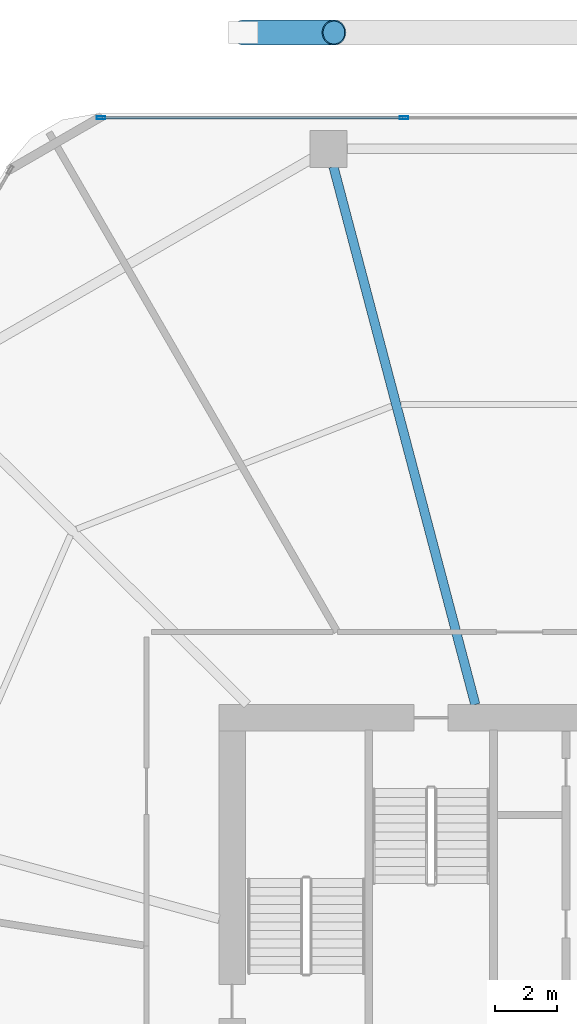
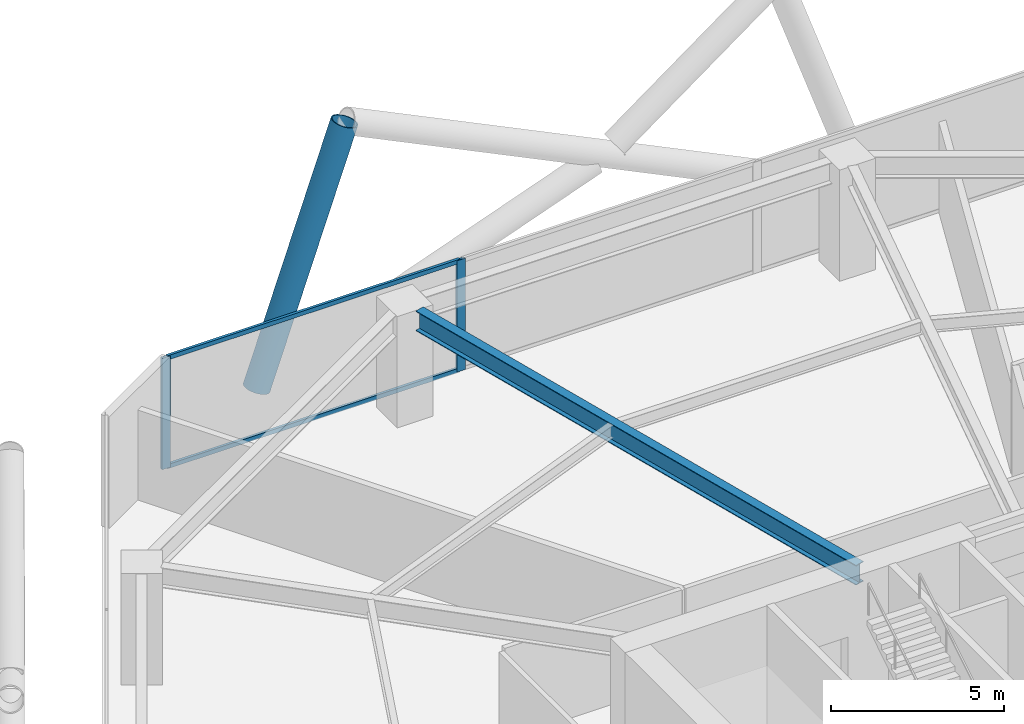
# One storey, part 17 of 28: 5 members, 1 beam, 1 element without a shape of its own.
"""IFC4 building model written with IfcOpenShell, lengths in metres."""

from ifc_helpers import new_model, si_unit, direction, frame, origin, origin_2d, place, context, subcontext, project, spatial, hollow_rectangle, hollow_circle, i_section, extrude, material, material_profile, profile_set, type_object, element, aggregate, save


model = new_model("IFC4")

# Units and contexts
model_context = context("Model", 3, precision=1e-05, world=origin(), true_north=direction((0.0, 1.0)))
body_context = subcontext(model_context, "Body", "Model", "MODEL_VIEW")
ifc_project = project(units=[si_unit("LENGTHUNIT", "METRE"), si_unit("AREAUNIT", "SQUARE_METRE"), si_unit("VOLUMEUNIT", "CUBIC_METRE"), si_unit("PLANEANGLEUNIT", "RADIAN"), si_unit("MASSUNIT", "GRAM", prefix="KILO")], contexts=[model_context])

# Site, building, storey
site_placement = place(None, origin())
site = spatial("IfcSite", under=ifc_project, at=site_placement, CompositionType="ELEMENT")
building_placement = place(site_placement, origin())
building = spatial("IfcBuilding", under=site, at=building_placement, Name="Zuhravey Tower", CompositionType="ELEMENT")
storey_placement = place(building_placement, frame((0.0, 0.0, 75.0)))
storey = spatial("IfcBuildingStorey", under=building, at=storey_placement, Name="L18", CompositionType="ELEMENT", Elevation=75.0)

# Curtain wall, members
ifc_material_1 = material(Name="Thermally broken anodised aluminium", Category="aluminium")
curtain_wall_type = type_object("IfcCurtainWallType", Name="School Low-E Unitised Curtain Wall CW1", PredefinedType="NOTDEFINED", material=ifc_material_1)
curtain_wall_placement = place(storey_placement, origin())
curtain_wall = element("IfcCurtainWall", 1, at=curtain_wall_placement, inside=storey, type_object=curtain_wall_type, Name="L18 CW1 CW-L18-F2-1", PredefinedType="NOTDEFINED")
ifc_material_2 = material(Name="Anodised aluminium", Category="aluminium")
ifc_material_profile_1 = material_profile(ifc_material_2, hollow_rectangle(XDim=0.090087890625, YDim=0.284912109375, WallThickness=0.0048828125, at=origin_2d()), Name="ALU-RHS-90x285x5")
ifc_profile_set_1 = profile_set([ifc_material_profile_1], Name="Anodised aluminium")
member_type_1 = type_object("IfcMemberType", Name="Curtain-Wall Mullion 90x180", PredefinedType="MULLION", material=ifc_profile_set_1)
member_1_placement = place(storey_placement, frame((21.24560546875, 60.95849609375, 0.0), z_axis=(0.0, 0.0, 1.0), x_axis=(0.0, 1.0, 0.0)))
member_1 = element("IfcMember", 2, at=member_1_placement, type_object=member_type_1, Name="CW1 mullion 1", PredefinedType="MULLION", context=body_context, shape_type="SweptSolid", body=[
    extrude(hollow_rectangle(XDim=0.090087890625, YDim=0.284912109375, WallThickness=0.0048828125, at=origin_2d()), origin(), (0.0, 0.0, 1.0), 3.919921875),
])
member_2_placement = place(storey_placement, frame((31.06689453125, 60.95849609375, 0.0), z_axis=(0.0, 0.0, 1.0), x_axis=(0.0, 1.0, 0.0)))
member_2 = element("IfcMember", 3, at=member_2_placement, type_object=member_type_1, Name="CW1 mullion 2", PredefinedType="MULLION", context=body_context, shape_type="SweptSolid", body=[
    extrude(hollow_rectangle(XDim=0.090087890625, YDim=0.284912109375, WallThickness=0.0048828125, at=origin_2d()), origin(), (0.0, 0.0, 1.0), 3.919921875),
])
ifc_material_profile_2 = material_profile(ifc_material_2, hollow_rectangle(XDim=0.090087890625, YDim=0.14990234375, WallThickness=0.0048828125, at=origin_2d()), Name="ALU-RHS-90x150x5")
ifc_profile_set_2 = profile_set([ifc_material_profile_2], Name="Anodised aluminium")
member_type_2 = type_object("IfcMemberType", Name="Curtain-Wall Transom 90x150", PredefinedType="USERDEFINED", material=ifc_profile_set_2)
member_3_placement = place(storey_placement, frame((21.29052734375, 60.95849609375, 0.044921875), z_axis=(1.0, 0.0, 0.0), x_axis=(0.0, 1.0, 0.0)))
member_3 = element("IfcMember", 4, at=member_3_placement, type_object=member_type_2, Name="CW1 transom 1.1", ObjectType="TRANSOM", PredefinedType="USERDEFINED", context=body_context, shape_type="SweptSolid", body=[
    extrude(hollow_rectangle(XDim=0.090087890625, YDim=0.14990234375, WallThickness=0.0048828125, at=origin_2d()), origin(), (0.0, 0.0, 1.0), 9.731201171875),
])
member_4_placement = place(storey_placement, frame((21.29052734375, 60.95849609375, 3.875), z_axis=(1.0, 0.0, 0.0), x_axis=(0.0, 1.0, 0.0)))
member_4 = element("IfcMember", 5, at=member_4_placement, type_object=member_type_2, Name="CW1 transom 1.2", ObjectType="TRANSOM", PredefinedType="USERDEFINED", context=body_context, shape_type="SweptSolid", body=[
    extrude(hollow_rectangle(XDim=0.090087890625, YDim=0.14990234375, WallThickness=0.0048828125, at=origin_2d()), origin(), (0.0, 0.0, 1.0), 9.731201171875),
])
aggregate(curtain_wall, [member_1, member_2, member_3, member_4])

# Member
ifc_material_3 = material(Name="Steel SM460", Category="steel")
ifc_material_profile_3 = material_profile(ifc_material_3, hollow_circle(Radius=0.406494140625, WallThickness=0.035888671875, at=origin_2d()), Name="CHS-812.8x36")
ifc_profile_set_3 = profile_set([ifc_material_profile_3], Name="Steel SM460")
member_type_3 = type_object("IfcMemberType", Name="Exoskeleton Zone 1 Diagrid CHS813x36", PredefinedType="BRACE", material=ifc_profile_set_3)
member_5_placement = place(storey_placement, frame((25.870849609375, 63.718505859375, -0.471923828125), z_axis=(0.330642732694, 0.0, 0.943755997764), x_axis=(0.0, 1.0, 0.0)))
element("IfcMember", 6, at=member_5_placement, inside=storey, type_object=member_type_3, Name="L18 Face 2 Diagrid Brace 4", PredefinedType="BRACE", context=body_context, shape_type="SweptSolid", body=[
    extrude(hollow_circle(Radius=0.406494140625, WallThickness=0.035888671875, at=origin_2d()), origin(), (0.0, 0.0, 1.0), 8.85400390625),
])

# Beam
ifc_material_4 = material(Name="Steel SM355", Category="steel")
ifc_material_profile_4 = material_profile(ifc_material_4, i_section(OverallWidth=0.300048828125, OverallDepth=0.699951171875, WebThickness=0.012939453125, FlangeThickness=0.02392578125, at=origin_2d()), Name="H-700x300x13x24")
ifc_profile_set_4 = profile_set([ifc_material_profile_4], Name="Steel SM355")
beam_type = type_object("IfcBeamType", Name="Radial Primary Girder H700x300", PredefinedType="BEAM", material=ifc_profile_set_4)
beam_placement = place(storey_placement, frame((33.382080078125, 41.927978515625, 3.570068359375), z_axis=(-0.254989720435, 0.966943763862, 0.0), x_axis=(-0.966943763862, -0.254989720435, 0.0)))
element("IfcBeam", 7, at=beam_placement, inside=storey, type_object=beam_type, Name="L18 RG1 BM-L18-RAD-04", PredefinedType="BEAM", context=body_context, shape_type="SweptSolid", body=[
    extrude(i_section(OverallWidth=0.300048828125, OverallDepth=0.699951171875, WebThickness=0.012939453125, FlangeThickness=0.02392578125, at=origin_2d()), origin(), (0.0, 0.0, 1.0), 18.03369140625),
])

save(model, "model.ifc")
